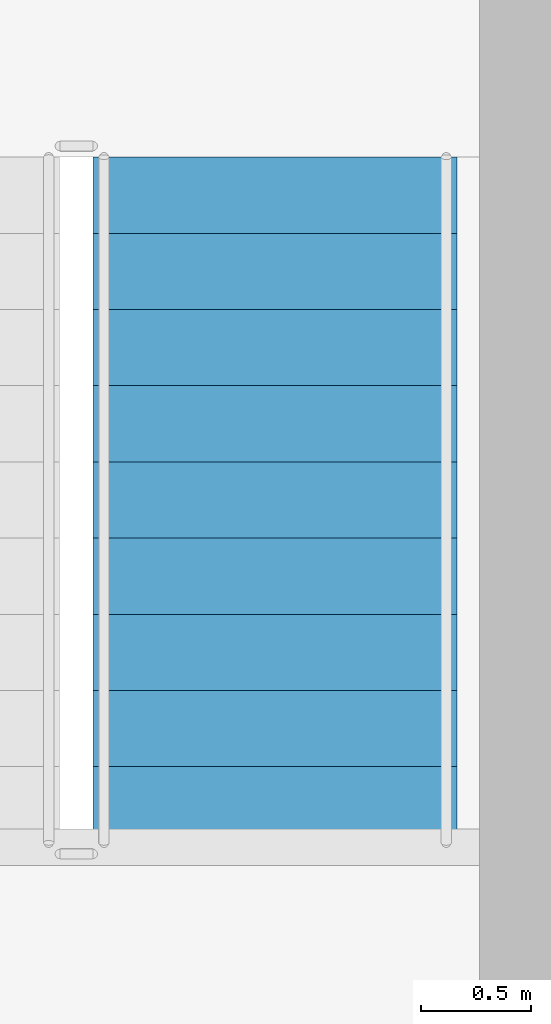
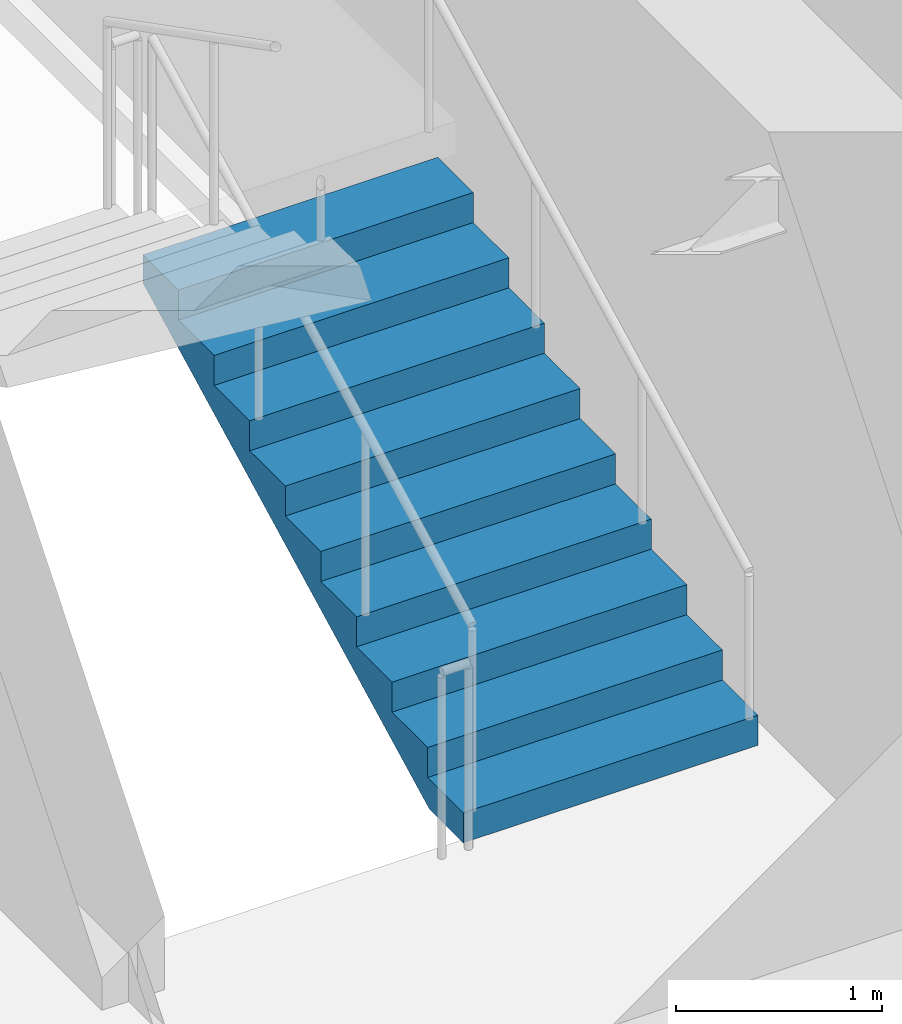
# One storey, part 13 of 14: 1 stair flight, 1 element without a shape of its own.
"""IFC4 building model written with IfcOpenShell, lengths in metres."""

import ifcopenshell
import ifcopenshell.guid

model = None  # the IFC model being written
_history = None  # IfcOwnerHistory: only IFC2X3 demands one
_inside = {}  # id of a spatial element -> (the spatial element, [elements in it])
_under = {}  # id of a project, library or spatial element -> (it, [spatial elements below it])
_declared = {}  # id of a project -> (the project, [libraries it declares])
_typed = {}  # id of a type object -> (the type object, [elements of that type])
_made_of = {}  # id of a material, layer set ... -> (it, [elements and type objects made of it])


def new_model(schema):
    """Start an empty IFC model of exactly this schema.

    Asked for "IFC4X3", IfcOpenShell would pick the latest addendum, in which some entities
    have other attributes; the version numbers below select the first issue.
    IFC2X3 requires an IfcOwnerHistory on every rooted entity: one is made here for all.
    """
    global model, _history
    if schema == "IFC4X3":
        model = ifcopenshell.file(schema_version=(4, 3, 0, 0))
    else:
        model = ifcopenshell.file(schema=schema)
    _inside.clear()
    _under.clear()
    _declared.clear()
    _typed.clear()
    _made_of.clear()
    _history = None
    if model.schema == "IFC2X3":
        org = make("IfcOrganization", Name="unknown")
        user = make(
            "IfcPersonAndOrganization",
            ThePerson=make("IfcPerson", FamilyName="unknown"),
            TheOrganization=org,
        )
        app = make(
            "IfcApplication",
            ApplicationDeveloper=org,
            Version="unknown",
            ApplicationFullName="unknown",
            ApplicationIdentifier="unknown",
        )
        _history = make(
            "IfcOwnerHistory",
            OwningUser=user,
            OwningApplication=app,
            ChangeAction="ADDED",
            CreationDate=0,
        )
    return model


def make(cls, **values):
    """One entity of the class cls with the attributes given. An attribute that is None is left unset."""
    return model.create_entity(
        cls, **{name: value for name, value in values.items() if value is not None}
    )


def rooted(cls, **values):
    """An entity with a GlobalId (a new one), such as an element, a storey or a relation."""
    return make(cls, GlobalId=ifcopenshell.guid.new(), OwnerHistory=_history, **values)


def si_unit(unit_type, name, prefix=None):
    """IfcSIUnit, for example si_unit("LENGTHUNIT", "METRE", prefix="MILLI")."""
    return make("IfcSIUnit", UnitType=unit_type, Prefix=prefix, Name=name)


def assignment(units):
    """IfcUnitAssignment: the units of a project."""
    return None if units is None else make("IfcUnitAssignment", Units=units)


def point(xyz):
    """IfcCartesianPoint."""
    return None if xyz is None else make("IfcCartesianPoint", Coordinates=xyz)


def direction(xyz):
    """IfcDirection."""
    return None if xyz is None else make("IfcDirection", DirectionRatios=xyz)


def frame(location, z_axis=None, x_axis=None):
    """IfcAxis2Placement3D, a coordinate frame: its origin and axes. An axis left out is left unset."""
    return make(
        "IfcAxis2Placement3D",
        Location=point(location),
        Axis=direction(z_axis),
        RefDirection=direction(x_axis),
    )


def origin():
    """The frame at (0, 0, 0) with its axes left unset."""
    return frame((0.0, 0.0, 0.0))


def place(relative_to, where):
    """IfcLocalPlacement: puts the frame where relative to a parent placement (None: the world)."""
    return make(
        "IfcLocalPlacement", PlacementRelTo=relative_to, RelativePlacement=where
    )


def context(
    kind, dimensions, precision=None, world=None, true_north=None, identifier=None
):
    """IfcGeometricRepresentationContext, for example the 3D "Model" context."""
    return make(
        "IfcGeometricRepresentationContext",
        ContextIdentifier=identifier,
        ContextType=kind,
        CoordinateSpaceDimension=dimensions,
        Precision=precision,
        WorldCoordinateSystem=world,
        TrueNorth=true_north,
    )


def subcontext(parent, identifier, kind, view, scale=None):
    """IfcGeometricRepresentationSubContext, for example "Body" below "Model"."""
    return make(
        "IfcGeometricRepresentationSubContext",
        ContextIdentifier=identifier,
        ContextType=kind,
        ParentContext=parent,
        TargetScale=scale,
        TargetView=view,
    )


def project(units=None, contexts=None):
    """IfcProject with its units and contexts."""
    return rooted(
        "IfcProject",
        Name="project",
        RepresentationContexts=contexts,
        UnitsInContext=assignment(units),
    )


def spatial(cls, under=None, at=None, **own):
    """A site, building, storey or space (cls), placed at a placement, below another one or the project."""
    s = rooted(cls, ObjectPlacement=at, **own)
    if under is not None:
        _under.setdefault(under.id(), (under, []))[1].append(s)
    return s


def polyline(points):
    """IfcPolyline through the points."""
    return make("IfcPolyline", Points=[point(p) for p in points])


def outline(outer, holes=None, kind="AREA"):
    """IfcArbitraryClosedProfileDef: a profile drawn as a closed curve; with holes, ...WithVoids."""
    if holes is None:
        return make("IfcArbitraryClosedProfileDef", ProfileType=kind, OuterCurve=outer)
    return make(
        "IfcArbitraryProfileDefWithVoids",
        ProfileType=kind,
        OuterCurve=outer,
        InnerCurves=holes,
    )


def extrude(swept, where, along, depth):
    """IfcExtrudedAreaSolid: the profile swept, set in the frame where, extruded along a direction by depth."""
    return make(
        "IfcExtrudedAreaSolid",
        SweptArea=swept,
        Position=where,
        ExtrudedDirection=direction(along),
        Depth=depth,
    )


def shape(context_of_items, identifier, shape_type, items):
    """IfcShapeRepresentation: the items that make up one representation, for example the "Body"."""
    return make(
        "IfcShapeRepresentation",
        ContextOfItems=context_of_items,
        RepresentationIdentifier=identifier,
        RepresentationType=shape_type,
        Items=items,
    )


def material(Name=None, Category=None):
    """IfcMaterial."""
    return make("IfcMaterial", Name=Name, Category=Category)


def made_of(thing, what):
    """Note that an element or type object is made of a material, layer set ...; save() writes the relation."""
    if what is not None:
        _made_of.setdefault(what.id(), (what, []))[1].append(thing)
    return thing


def type_object(cls, material=None, **own):
    """A type object (cls), such as IfcWallType, which elements share."""
    return made_of(rooted(cls, **own), material)


def element(
    cls,
    number,
    at=None,
    inside=None,
    cuts=None,
    type_object=None,
    material=None,
    context=None,
    identifier="Body",
    shape_type=None,
    held_by="IfcProductDefinitionShape",
    body=None,
    shapes=None,
    **own,
):
    """One element of the class cls, such as IfcWall. Its Tag is "e" and its number.

    at: its placement. inside: the storey or other place that contains it. cuts: it is an
    opening in that element (IfcRelVoidsElement). A single representation is given by context,
    identifier, shape_type and body (its items); several are given by shapes. held_by: the class
    of the entity that holds the representations. save() writes the other relations.
    """
    e = rooted(cls, Tag="e%d" % number, ObjectPlacement=at, **own)
    if body is not None:
        shapes = [shape(context, identifier, shape_type, body)]
    if shapes is not None:
        e.Representation = make(held_by, Representations=shapes)
    if inside is not None:
        _inside.setdefault(inside.id(), (inside, []))[1].append(e)
    if cuts is not None:
        rooted(
            "IfcRelVoidsElement", RelatingBuildingElement=cuts, RelatedOpeningElement=e
        )
    if type_object is not None:
        _typed.setdefault(type_object.id(), (type_object, []))[1].append(e)
    return made_of(e, material)


def aggregate(whole, parts):
    """IfcRelAggregates: a whole, such as a stair, and the parts it consists of."""
    return rooted("IfcRelAggregates", RelatingObject=whole, RelatedObjects=parts)


def save(model, path):
    """Write the relations noted so far, then the file.

    IfcRelAggregates (storeys below a building ...), IfcRelContainedInSpatialStructure (elements
    in a storey), IfcRelDefinesByType, IfcRelAssociatesMaterial and IfcRelDeclares: one each for
    every whole, place, type object, material and project.
    """
    for whole, parts in _under.values():
        aggregate(whole, parts)
    for where, things in _inside.values():
        rooted(
            "IfcRelContainedInSpatialStructure",
            RelatedElements=things,
            RelatingStructure=where,
        )
    for kind, things in _typed.values():
        rooted("IfcRelDefinesByType", RelatedObjects=things, RelatingType=kind)
    for what, things in _made_of.values():
        rooted("IfcRelAssociatesMaterial", RelatedObjects=things, RelatingMaterial=what)
    for by, libraries in _declared.values():
        rooted("IfcRelDeclares", RelatingContext=by, RelatedDefinitions=libraries)
    model.write(path)


model = new_model("IFC4")

# Units and contexts
model_context = context("Model", 3, precision=1e-05, world=origin(), true_north=direction((0.0, 1.0)))
body_context = subcontext(model_context, "Body", "Model", "MODEL_VIEW")
ifc_project = project(units=[si_unit("LENGTHUNIT", "METRE"), si_unit("AREAUNIT", "SQUARE_METRE"), si_unit("VOLUMEUNIT", "CUBIC_METRE"), si_unit("PLANEANGLEUNIT", "RADIAN"), si_unit("MASSUNIT", "GRAM", prefix="KILO")], contexts=[model_context])

# Site, building, storey
site_placement = place(None, origin())
site = spatial("IfcSite", under=ifc_project, at=site_placement, CompositionType="ELEMENT")
building_placement = place(site_placement, origin())
building = spatial("IfcBuilding", under=site, at=building_placement, Name="Tolvann Quenvar Hotel", CompositionType="ELEMENT")
storey_placement = place(building_placement, frame((0.0, 0.0, 187.550048828125)))
storey = spatial("IfcBuildingStorey", under=building, at=storey_placement, Name="L49", CompositionType="ELEMENT", Elevation=187.550048828125)

# Stair, stair flight
ifc_material = material(Name="Concrete N40 (40 MPa)", Category="concrete")
stair_type = type_object("IfcStairType", Name="STAIR", PredefinedType="HALF_TURN_STAIR", material=ifc_material)
stair_placement = place(storey_placement, origin())
stair = element("IfcStair", 1, at=stair_placement, inside=storey, type_object=stair_type, Name="L49 ST-C2", PredefinedType="HALF_TURN_STAIR")
stair_flight_type = type_object("IfcStairFlightType", Name="STAIR_FLIGHT", PredefinedType="STRAIGHT", material=ifc_material)
stair_flight_placement = place(storey_placement, frame((34.574951171875, 34.0, 0.0), z_axis=(0.0, 0.0, 1.0), x_axis=(0.0, 1.0, 0.0)))
stair_flight = element("IfcStairFlight", 2, at=stair_flight_placement, type_object=stair_flight_type, Name="ST-C2 flight 1", NumberOfRisers=10, NumberOfTreads=9, PredefinedType="STRAIGHT", RiserHeight=0.1775, TreadLength=0.345, context=body_context, shape_type="SweptSolid", body=[
    extrude(outline(polyline([(0.0, 0.0), (0.0, 0.177490234375), (0.344970703125, 0.177490234375), (0.344970703125, 0.35498046875), (0.68994140625, 0.35498046875), (0.68994140625, 0.532470703125), (1.034912109375, 0.532470703125), (1.034912109375, 0.7099609375), (1.3798828125, 0.7099609375), (1.3798828125, 0.887451171875), (1.72509765625, 0.887451171875), (1.72509765625, 1.06494140625), (2.070068359375, 1.06494140625), (2.070068359375, 1.242431640625), (2.4150390625, 1.242431640625), (2.4150390625, 1.419921875), (2.760009765625, 1.419921875), (2.760009765625, 1.597412109375), (3.10498046875, 1.597412109375), (3.10498046875, 1.77490234375), (3.10498046875, 1.428955078125), (0.32763671875, 0.0), (0.0, 0.0)])), frame((0.0, 0.824951171875, 0.0), z_axis=(0.0, -1.0, 0.0), x_axis=(1.0, 0.0, 0.0)), (0.0, 0.0, 1.0), 1.64990234375),
])
aggregate(stair, [stair_flight])

save(model, "model.ifc")
